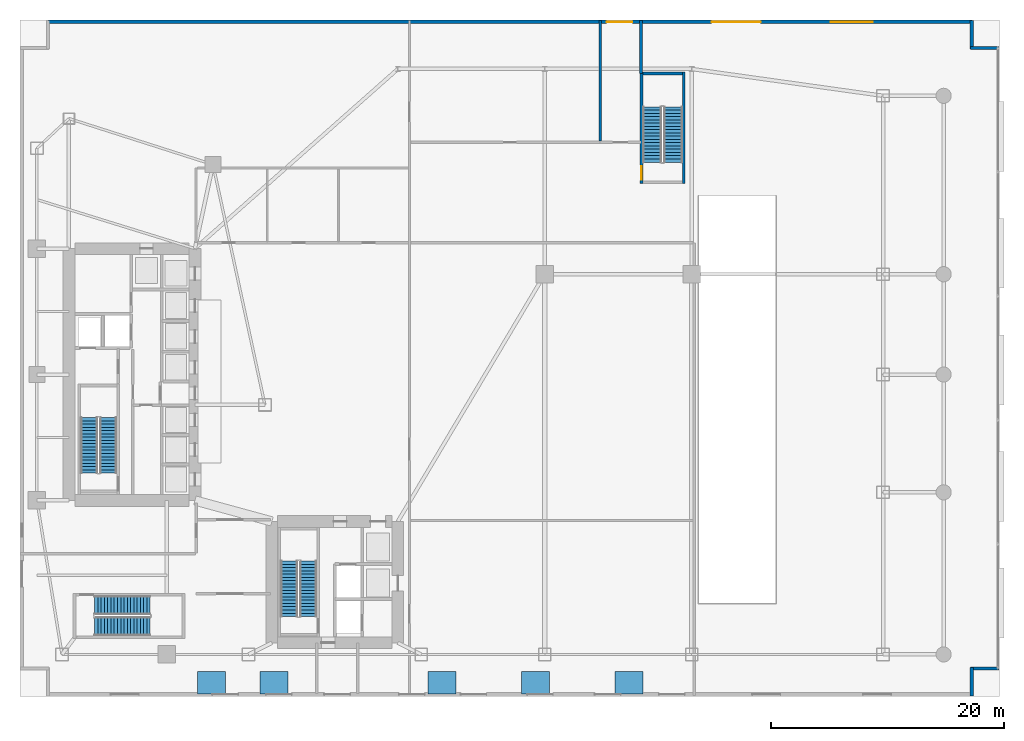
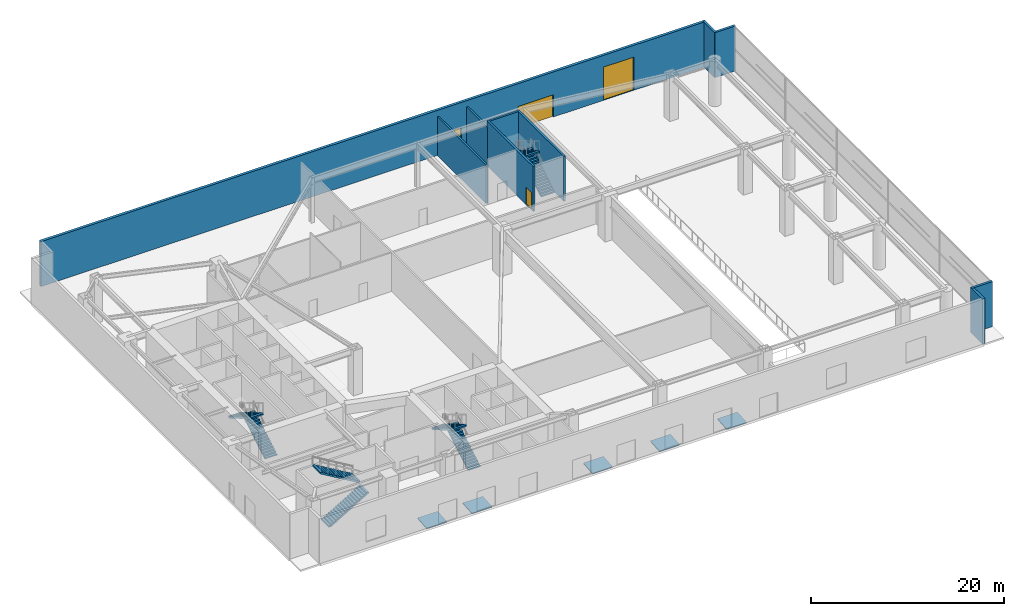
# One storey, part 15 of 20: 10 walls, 8 stair flights, 5 ramp flights, 4 doors, 4 openings, 9 elements without a shape of their own.
"""IFC4 building model written with IfcOpenShell, lengths in metres."""

from ifc_helpers import new_model, si_unit, direction, frame, frame_2d, origin, place, context, subcontext, project, spatial, polyline, rectangle, outline, extrude, material, layer, layer_set, type_object, element, fill, aggregate, save


model = new_model("IFC4")

# Units and contexts
model_context = context("Model", 3, precision=1e-05, world=origin(), true_north=direction((0.0, 1.0)))
body_context = subcontext(model_context, "Body", "Model", "MODEL_VIEW")
ifc_project = project(units=[si_unit("LENGTHUNIT", "METRE"), si_unit("AREAUNIT", "SQUARE_METRE"), si_unit("VOLUMEUNIT", "CUBIC_METRE"), si_unit("PLANEANGLEUNIT", "RADIAN"), si_unit("MASSUNIT", "GRAM", prefix="KILO")], contexts=[model_context])

# Site, building, storey
site_placement = place(None, origin())
site = spatial("IfcSite", under=ifc_project, at=site_placement, CompositionType="ELEMENT")
building_placement = place(site_placement, origin())
building = spatial("IfcBuilding", under=site, at=building_placement, Name="Calvorn Quay Hotel", CompositionType="ELEMENT")
storey_placement = place(building_placement, origin())
storey = spatial("IfcBuildingStorey", under=building, at=storey_placement, Name="L00", CompositionType="ELEMENT", Elevation=0.0)

# Walls
ifc_material_1 = material(Name="Concrete C40", Category="concrete")
ifc_layer_1 = layer(ifc_material_1, 0.320068359375)
ifc_layer_set_1 = layer_set([ifc_layer_1], Name="WL-EXT-SPANDREL-320")
wall_type_1 = type_object("IfcWallType", Name="WL-EXT-SPANDREL-320", PredefinedType="SOLIDWALL", material=ifc_layer_set_1)
for number, where, z_axis, x_axis, name in (
    (1, (81.60009765625, 0.0400390625, 0.0), (0.0, 0.0, 1.0), (0.0, 1.0, 0.0), "Podium Notched Corner Wall L00-SE1"),
    (2, (81.5, 2.39990234375, 0.0), (0.0, 0.0, 1.0), (1.0, 0.0, 0.0), "Podium Notched Corner Wall L00-SE2"),
    (3, (83.9599609375, 55.60009765625, 0.0), (0.0, 0.0, 1.0), (-1.0, 0.0, 0.0), "Podium Notched Corner Wall L00-NE1"),
    (4, (81.60009765625, 55.5, 0.0), (0.0, 0.0, 1.0), (0.0, 1.0, 0.0), "Podium Notched Corner Wall L00-NE2"),
):
    element("IfcWall", number, at=place(storey_placement, frame(where, z_axis=z_axis, x_axis=x_axis)), inside=storey, type_object=wall_type_1, Name=name, PredefinedType="SOLIDWALL", context=body_context, shape_type="SweptSolid", body=[
        extrude(rectangle(XDim=2.4599609375, YDim=0.280029296875, at=frame_2d((1.22998046875, 0.0))), origin(), (0.0, 0.0, 1.0), 5.679931640625),
    ])

# Wall, openings, doors
wall_1_placement = place(storey_placement, frame((2.300048828125, 57.840087890625, 0.0), z_axis=(0.0, 0.0, 1.0), x_axis=(1.0, 0.0, 0.0)))
wall_1 = element("IfcWall", 5, at=wall_1_placement, inside=storey, type_object=wall_type_1, Name="L00 North Service and Ramp Portal Wall", PredefinedType="SOLIDWALL", context=body_context, shape_type="SweptSolid", body=[
    extrude(rectangle(XDim=79.39990234375, YDim=0.320068359375, at=frame_2d((39.699951171875, 0.0))), origin(), (0.0, 0.0, 1.0), 5.679931640625),
])
opening_1_placement = place(wall_1_placement, frame((48.0, 0.0, 0.0)))
opening_1 = element("IfcOpeningElement", 6, at=opening_1_placement, cuts=wall_1, Name="Opening EX-06", PredefinedType="OPENING", context=body_context, shape_type="SweptSolid", body=[
    extrude(rectangle(XDim=2.199951171875, YDim=2.5, at=frame_2d((1.10009765625, 1.25))), frame((0.0, 0.169921875, 0.0), z_axis=(0.0, -1.0, 0.0), x_axis=(1.0, 0.0, 0.0)), (0.0, 0.0, 1.0), 0.340087890625),
])
opening_2_placement = place(wall_1_placement, frame((57.0, 0.0, 0.0)))
opening_2 = element("IfcOpeningElement", 7, at=opening_2_placement, cuts=wall_1, Name="Opening VG-01", PredefinedType="OPENING", context=body_context, shape_type="SweptSolid", body=[
    extrude(rectangle(XDim=4.199951171875, YDim=2.800048828125, at=frame_2d((2.10009765625, 1.39990234375))), frame((0.0, 0.169921875, 0.0), z_axis=(0.0, -1.0, 0.0), x_axis=(1.0, 0.0, 0.0)), (0.0, 0.0, 1.0), 0.340087890625),
])
opening_3_placement = place(wall_1_placement, frame((67.199951171875, 0.0, 0.0)))
opening_3 = element("IfcOpeningElement", 8, at=opening_3_placement, cuts=wall_1, Name="Opening VLD-01", PredefinedType="OPENING", context=body_context, shape_type="SweptSolid", body=[
    extrude(rectangle(XDim=3.60009765625, YDim=4.199951171875, at=frame_2d((1.800048828125, 2.10009765625))), frame((0.0, 0.169921875, 0.0), z_axis=(0.0, -1.0, 0.0), x_axis=(1.0, 0.0, 0.0)), (0.0, 0.0, 1.0), 0.340087890625),
])
ifc_material_2 = material(Name="Insulated Steel Loading-Bay Roller Shutter", Category="steel")
door_type_1 = type_object("IfcDoorType", Name="DR-LOADING-3600", OperationType="NOTDEFINED", PredefinedType="GATE", material=ifc_material_2)
door_1_placement = place(opening_3_placement, origin())
door_1 = element("IfcDoor", 9, at=door_1_placement, inside=storey, type_object=door_type_1, Name="Hotel Loading Bay Roller Shutter VLD-01", OperationType="ROLLINGUP", OverallHeight=4.199951171875, OverallWidth=3.60009765625, PredefinedType="GATE", context=body_context, shape_type="SweptSolid", body=[
    extrude(rectangle(XDim=3.60009765625, YDim=4.199951171875, at=frame_2d((1.800048828125, 2.10009765625))), frame((0.0, 0.02490234375, 0.0), z_axis=(0.0, -1.0, 0.0), x_axis=(1.0, 0.0, 0.0)), (0.0, 0.0, 1.0), 0.050048828125),
])
fill(opening_3, door_1)
ifc_material_3 = material(Name="Thermally Broken Bronze-Anodised Aluminium Glazed Door", Category="aluminium")
door_type_2 = type_object("IfcDoorType", Name="DR-MAIN-EXIT-2200", OperationType="NOTDEFINED", PredefinedType="DOOR", material=ifc_material_3)
door_2_placement = place(opening_1_placement, origin())
door_2 = element("IfcDoor", 10, at=door_2_placement, inside=storey, type_object=door_type_2, Name="North-East Stair Final Exit Door EX-06", OperationType="DOUBLE_DOOR_SINGLE_SWING", OverallHeight=2.5, OverallWidth=2.199951171875, PredefinedType="DOOR", context=body_context, shape_type="SweptSolid", body=[
    extrude(rectangle(XDim=2.199951171875, YDim=2.5, at=frame_2d((1.10009765625, 1.25))), frame((0.0, 0.02490234375, 0.0), z_axis=(0.0, -1.0, 0.0), x_axis=(1.0, 0.0, 0.0)), (0.0, 0.0, 1.0), 0.050048828125),
])
fill(opening_1, door_2)
ifc_material_4 = material(Name="Perforated Anodised Aluminium Roller Shutter Gate", Category="aluminium")
door_type_3 = type_object("IfcDoorType", Name="DR-VEH-GATE-4200", OperationType="NOTDEFINED", PredefinedType="GATE", material=ifc_material_4)
door_3_placement = place(opening_2_placement, origin())
door_3 = element("IfcDoor", 11, at=door_3_placement, inside=storey, type_object=door_type_3, Name="Basement Car Park Roller Shutter Gate VG-01", OperationType="ROLLINGUP", OverallHeight=2.800048828125, OverallWidth=4.199951171875, PredefinedType="GATE", context=body_context, shape_type="SweptSolid", body=[
    extrude(rectangle(XDim=4.199951171875, YDim=2.800048828125, at=frame_2d((2.10009765625, 1.39990234375))), frame((0.0, 0.02490234375, 0.0), z_axis=(0.0, -1.0, 0.0), x_axis=(1.0, 0.0, 0.0)), (0.0, 0.0, 1.0), 0.050048828125),
])
fill(opening_2, door_3)

# Walls
ifc_material_5 = material(Name="Autoclaved Aerated Masonry Block", Category="masonry")
ifc_layer_2 = layer(ifc_material_5, 0.219970703125)
ifc_layer_set_2 = layer_set([ifc_layer_2], Name="WL-LOBBY-FIRE-220")
wall_type_2 = type_object("IfcWallType", Name="WL-LOBBY-FIRE-220", PredefinedType="SOLIDWALL", material=ifc_layer_set_2)
wall_2_placement = place(storey_placement, frame((49.75, 47.6201171875, 0.0), z_axis=(0.0, 0.0, 1.0), x_axis=(0.0, 1.0, 0.0)))
element("IfcWall", 12, at=wall_2_placement, inside=storey, type_object=wall_type_2, Name="Partition Wall L00-WL-L00-NE-EXW", PredefinedType="SOLIDWALL", context=body_context, shape_type="SweptSolid", body=[
    extrude(rectangle(XDim=10.31982421875, YDim=0.219970703125, at=frame_2d((5.159912109375, 0.0))), origin(), (0.0, 0.0, 1.0), 4.8798828125),
])
wall_3_placement = place(storey_placement, frame((53.25, 53.39990234375, 0.0), z_axis=(0.0, 0.0, 1.0), x_axis=(0.0, 1.0, 0.0)))
element("IfcWall", 13, at=wall_3_placement, inside=storey, type_object=wall_type_2, Name="Partition Wall L00-WL-L00-NE-EXE", PredefinedType="SOLIDWALL", context=body_context, shape_type="SweptSolid", body=[
    extrude(rectangle(XDim=4.5400390625, YDim=0.219970703125, at=frame_2d((2.27001953125, 0.0))), origin(), (0.0, 0.0, 1.0), 4.8798828125),
])

# Wall, opening, door
ifc_material_6 = material(Name="Concrete C40", Category="concrete")
ifc_layer_3 = layer(ifc_material_6, 0.239990234375)
ifc_layer_set_3 = layer_set([ifc_layer_3], Name="WL-SHAFT-240")
wall_type_3 = type_object("IfcWallType", Name="WL-SHAFT-240", PredefinedType="SOLIDWALL", material=ifc_layer_set_3)
wall_4_placement = place(storey_placement, frame((53.280029296875, 43.9599609375, 0.0), z_axis=(0.0, 0.0, 1.0), x_axis=(0.0, 1.0, 0.0)))
wall_4 = element("IfcWall", 14, at=wall_4_placement, inside=storey, type_object=wall_type_3, Name="Stair STP1 Shaft Wall W (L00)", PredefinedType="SOLIDWALL", context=body_context, shape_type="SweptSolid", body=[
    extrude(rectangle(XDim=9.580078125, YDim=0.239990234375, at=frame_2d((4.7900390625, 0.0))), origin(), (0.0, 0.0, 1.0), 5.679931640625),
])
opening_4_placement = place(wall_4_placement, frame((0.35009765625, 0.0, 0.0)))
opening_4 = element("IfcOpeningElement", 15, at=opening_4_placement, cuts=wall_4, Name="Opening D-L00-STP1", PredefinedType="OPENING", context=body_context, shape_type="SweptSolid", body=[
    extrude(rectangle(XDim=1.14990234375, YDim=2.199951171875, at=frame_2d((0.574951171875, 1.10009765625))), frame((0.0, 0.1298828125, 0.0), z_axis=(0.0, -1.0, 0.0), x_axis=(1.0, 0.0, 0.0)), (0.0, 0.0, 1.0), 0.260009765625),
])
ifc_material_7 = material(Name="Galvanised Steel Class A Fire Door", Category="steel")
door_type_4 = type_object("IfcDoorType", Name="DR-STAIR-SMOKE-1150", OperationType="NOTDEFINED", PredefinedType="DOOR", material=ifc_material_7)
door_4_placement = place(opening_4_placement, origin())
door_4 = element("IfcDoor", 16, at=door_4_placement, inside=storey, type_object=door_type_4, Name="Podium Stair ST-P1 Fire Door (L00)", OperationType="SINGLE_SWING_LEFT", OverallHeight=2.199951171875, OverallWidth=1.14990234375, PredefinedType="DOOR", context=body_context, shape_type="SweptSolid", body=[
    extrude(rectangle(XDim=1.14990234375, YDim=2.199951171875, at=frame_2d((0.574951171875, 1.10009765625))), frame((0.0, 0.02490234375, 0.0), z_axis=(0.0, -1.0, 0.0), x_axis=(1.0, 0.0, 0.0)), (0.0, 0.0, 1.0), 0.050048828125),
])
fill(opening_4, door_4)

# Walls
wall_5_placement = place(storey_placement, frame((56.919921875, 43.9599609375, 0.0), z_axis=(0.0, 0.0, 1.0), x_axis=(0.0, 1.0, 0.0)))
element("IfcWall", 17, at=wall_5_placement, inside=storey, type_object=wall_type_3, Name="Stair STP1 Shaft Wall E (L00)", PredefinedType="SOLIDWALL", context=body_context, shape_type="SweptSolid", body=[
    extrude(rectangle(XDim=9.580078125, YDim=0.239990234375, at=frame_2d((4.7900390625, 0.0))), origin(), (0.0, 0.0, 1.0), 5.679931640625),
])
wall_6_placement = place(storey_placement, frame((53.39990234375, 53.419921875, 0.0), z_axis=(0.0, 0.0, 1.0), x_axis=(1.0, 0.0, 0.0)))
element("IfcWall", 18, at=wall_6_placement, inside=storey, type_object=wall_type_3, Name="Stair STP1 Shaft Wall N (L00)", PredefinedType="SOLIDWALL", context=body_context, shape_type="SweptSolid", body=[
    extrude(rectangle(XDim=3.400146484375, YDim=0.239990234375, at=frame_2d((1.7001953125, 0.0))), origin(), (0.0, 0.0, 1.0), 5.679931640625),
])

# Stair, stair flights
ifc_material_8 = material(Name="Concrete C40", Category="concrete")
stair_type_1 = type_object("IfcStairType", Name="STR-CORE-DOGLEG", PredefinedType="HALF_TURN_STAIR", material=ifc_material_8)
stair_1_placement = place(storey_placement, origin())
stair_1 = element("IfcStair", 19, at=stair_1_placement, inside=storey, type_object=stair_type_1, Name="L00 ST-W", PredefinedType="HALF_TURN_STAIR")
ifc_material_9 = material(Name="Concrete C40", Category="concrete")
stair_flight_type_1 = type_object("IfcStairFlightType", Name="FLT-CORE-1550", PredefinedType="STRAIGHT", material=ifc_material_9)
stair_flight_1_placement = place(storey_placement, frame((7.574951171875, 19.14990234375, 0.0), z_axis=(0.0, 0.0, 1.0), x_axis=(0.0, 1.0, 0.0)))
stair_flight_1 = element("IfcStairFlight", 20, at=stair_flight_1_placement, type_object=stair_flight_type_1, Name="ST-W flight 1", NumberOfRisers=18, NumberOfTreads=17, PredefinedType="STRAIGHT", RiserHeight=0.166666667, TreadLength=0.28, context=body_context, shape_type="SweptSolid", body=[
    extrude(outline(polyline([(0.0, 0.0), (0.0, 0.166748046875), (0.280029296875, 0.166748046875), (0.280029296875, 0.333251953125), (0.56005859375, 0.333251953125), (0.56005859375, 0.5), (0.840087890625, 0.5), (0.840087890625, 0.666748046875), (1.1201171875, 0.666748046875), (1.1201171875, 0.833251953125), (1.39990234375, 0.833251953125), (1.39990234375, 1.0), (1.679931640625, 1.0), (1.679931640625, 1.166748046875), (1.9599609375, 1.166748046875), (1.9599609375, 1.333251953125), (2.239990234375, 1.333251953125), (2.239990234375, 1.5), (2.52001953125, 1.5), (2.52001953125, 1.666748046875), (2.800048828125, 1.666748046875), (2.800048828125, 1.833251953125), (3.080078125, 1.833251953125), (3.080078125, 2.0), (3.360107421875, 2.0), (3.360107421875, 2.166748046875), (3.639892578125, 2.166748046875), (3.639892578125, 2.333251953125), (3.919921875, 2.333251953125), (3.919921875, 2.5), (4.199951171875, 2.5), (4.199951171875, 2.666748046875), (4.47998046875, 2.666748046875), (4.47998046875, 2.833251953125), (4.760009765625, 2.833251953125), (4.760009765625, 3.0), (4.760009765625, 2.658935546875), (0.29296875, 0.0), (0.0, 0.0)])), frame((0.0, 0.72509765625, 0.0), z_axis=(0.0, -1.0, 0.0), x_axis=(1.0, 0.0, 0.0)), (0.0, 0.0, 1.0), 1.449951171875),
])
stair_flight_2_placement = place(storey_placement, frame((5.925048828125, 23.909912109375, 3.0), z_axis=(0.0, 0.0, 1.0), x_axis=(0.0, -1.0, 0.0)))
stair_flight_2 = element("IfcStairFlight", 21, at=stair_flight_2_placement, type_object=stair_flight_type_1, Name="ST-W flight 2", NumberOfRisers=18, NumberOfTreads=17, PredefinedType="STRAIGHT", RiserHeight=0.166666667, TreadLength=0.28, context=body_context, shape_type="SweptSolid", body=[
    extrude(outline(polyline([(0.0, 0.0), (0.0, 0.166748046875), (0.280029296875, 0.166748046875), (0.280029296875, 0.333251953125), (0.56005859375, 0.333251953125), (0.56005859375, 0.5), (0.840087890625, 0.5), (0.840087890625, 0.666748046875), (1.1201171875, 0.666748046875), (1.1201171875, 0.833251953125), (1.39990234375, 0.833251953125), (1.39990234375, 1.0), (1.679931640625, 1.0), (1.679931640625, 1.166748046875), (1.9599609375, 1.166748046875), (1.9599609375, 1.333251953125), (2.239990234375, 1.333251953125), (2.239990234375, 1.5), (2.52001953125, 1.5), (2.52001953125, 1.666748046875), (2.800048828125, 1.666748046875), (2.800048828125, 1.833251953125), (3.080078125, 1.833251953125), (3.080078125, 2.0), (3.360107421875, 2.0), (3.360107421875, 2.166748046875), (3.639892578125, 2.166748046875), (3.639892578125, 2.333251953125), (3.919921875, 2.333251953125), (3.919921875, 2.5), (4.199951171875, 2.5), (4.199951171875, 2.666748046875), (4.47998046875, 2.666748046875), (4.47998046875, 2.833251953125), (4.760009765625, 2.833251953125), (4.760009765625, 3.0), (4.760009765625, 2.658935546875), (0.29296875, 0.0), (0.0, 0.0)])), frame((0.0, 0.72509765625, 0.0), z_axis=(0.0, -1.0, 0.0), x_axis=(1.0, 0.0, 0.0)), (0.0, 0.0, 1.0), 1.449951171875),
])
aggregate(stair_1, [stair_flight_1, stair_flight_2])

stair_2_placement = place(storey_placement, origin())
stair_2 = element("IfcStair", 22, at=stair_2_placement, inside=storey, type_object=stair_type_1, Name="L00 ST-E", PredefinedType="HALF_TURN_STAIR")
stair_flight_3_placement = place(storey_placement, frame((24.72509765625, 6.85009765625, 0.0), z_axis=(0.0, 0.0, 1.0), x_axis=(0.0, 1.0, 0.0)))
stair_flight_3 = element("IfcStairFlight", 23, at=stair_flight_3_placement, type_object=stair_flight_type_1, Name="ST-E flight 1", NumberOfRisers=18, NumberOfTreads=17, PredefinedType="STRAIGHT", RiserHeight=0.166666667, TreadLength=0.28, context=body_context, shape_type="SweptSolid", body=[
    extrude(outline(polyline([(0.0, 0.0), (0.0, 0.166748046875), (0.280029296875, 0.166748046875), (0.280029296875, 0.333251953125), (0.56005859375, 0.333251953125), (0.56005859375, 0.5), (0.840087890625, 0.5), (0.840087890625, 0.666748046875), (1.1201171875, 0.666748046875), (1.1201171875, 0.833251953125), (1.39990234375, 0.833251953125), (1.39990234375, 1.0), (1.679931640625, 1.0), (1.679931640625, 1.166748046875), (1.9599609375, 1.166748046875), (1.9599609375, 1.333251953125), (2.239990234375, 1.333251953125), (2.239990234375, 1.5), (2.52001953125, 1.5), (2.52001953125, 1.666748046875), (2.800048828125, 1.666748046875), (2.800048828125, 1.833251953125), (3.080078125, 1.833251953125), (3.080078125, 2.0), (3.360107421875, 2.0), (3.360107421875, 2.166748046875), (3.639892578125, 2.166748046875), (3.639892578125, 2.333251953125), (3.919921875, 2.333251953125), (3.919921875, 2.5), (4.199951171875, 2.5), (4.199951171875, 2.666748046875), (4.47998046875, 2.666748046875), (4.47998046875, 2.833251953125), (4.760009765625, 2.833251953125), (4.760009765625, 3.0), (4.760009765625, 2.658935546875), (0.29296875, 0.0), (0.0, 0.0)])), frame((0.0, 0.72509765625, 0.0), z_axis=(0.0, -1.0, 0.0), x_axis=(1.0, 0.0, 0.0)), (0.0, 0.0, 1.0), 1.449951171875),
])
stair_flight_4_placement = place(storey_placement, frame((23.074951171875, 11.610107421875, 3.0), z_axis=(0.0, 0.0, 1.0), x_axis=(0.0, -1.0, 0.0)))
stair_flight_4 = element("IfcStairFlight", 24, at=stair_flight_4_placement, type_object=stair_flight_type_1, Name="ST-E flight 2", NumberOfRisers=18, NumberOfTreads=17, PredefinedType="STRAIGHT", RiserHeight=0.166666667, TreadLength=0.28, context=body_context, shape_type="SweptSolid", body=[
    extrude(outline(polyline([(0.0, 0.0), (0.0, 0.166748046875), (0.280029296875, 0.166748046875), (0.280029296875, 0.333251953125), (0.56005859375, 0.333251953125), (0.56005859375, 0.5), (0.840087890625, 0.5), (0.840087890625, 0.666748046875), (1.1201171875, 0.666748046875), (1.1201171875, 0.833251953125), (1.39990234375, 0.833251953125), (1.39990234375, 1.0), (1.679931640625, 1.0), (1.679931640625, 1.166748046875), (1.9599609375, 1.166748046875), (1.9599609375, 1.333251953125), (2.239990234375, 1.333251953125), (2.239990234375, 1.5), (2.52001953125, 1.5), (2.52001953125, 1.666748046875), (2.800048828125, 1.666748046875), (2.800048828125, 1.833251953125), (3.080078125, 1.833251953125), (3.080078125, 2.0), (3.360107421875, 2.0), (3.360107421875, 2.166748046875), (3.639892578125, 2.166748046875), (3.639892578125, 2.333251953125), (3.919921875, 2.333251953125), (3.919921875, 2.5), (4.199951171875, 2.5), (4.199951171875, 2.666748046875), (4.47998046875, 2.666748046875), (4.47998046875, 2.833251953125), (4.760009765625, 2.833251953125), (4.760009765625, 3.0), (4.760009765625, 2.658935546875), (0.29296875, 0.0), (0.0, 0.0)])), frame((0.0, 0.72509765625, 0.0), z_axis=(0.0, -1.0, 0.0), x_axis=(1.0, 0.0, 0.0)), (0.0, 0.0, 1.0), 1.449951171875),
])
aggregate(stair_2, [stair_flight_3, stair_flight_4])

ifc_material_10 = material(Name="Concrete C40", Category="concrete")
stair_type_2 = type_object("IfcStairType", Name="STR-POD-DOGLEG", PredefinedType="TWO_QUARTER_TURN_STAIR", material=ifc_material_10)
stair_3_placement = place(storey_placement, origin())
stair_3 = element("IfcStair", 25, at=stair_3_placement, inside=storey, type_object=stair_type_2, Name="L00 ST-P1", PredefinedType="TWO_QUARTER_TURN_STAIR")
ifc_material_11 = material(Name="Concrete C40", Category="concrete")
stair_flight_type_2 = type_object("IfcStairFlightType", Name="FLT-POD-1750", PredefinedType="STRAIGHT", material=ifc_material_11)
stair_flight_5_placement = place(storey_placement, frame((56.0, 45.800048828125, 0.0), z_axis=(0.0, 0.0, 1.0), x_axis=(0.0, 1.0, 0.0)))
stair_flight_5 = element("IfcStairFlight", 26, at=stair_flight_5_placement, type_object=stair_flight_type_2, Name="ST-P1 flight 1", NumberOfRisers=18, NumberOfTreads=17, PredefinedType="STRAIGHT", RiserHeight=0.166666667, TreadLength=0.28, context=body_context, shape_type="SweptSolid", body=[
    extrude(outline(polyline([(0.0, 0.0), (0.0, 0.166748046875), (0.280029296875, 0.166748046875), (0.280029296875, 0.333251953125), (0.56005859375, 0.333251953125), (0.56005859375, 0.5), (0.840087890625, 0.5), (0.840087890625, 0.666748046875), (1.1201171875, 0.666748046875), (1.1201171875, 0.833251953125), (1.39990234375, 0.833251953125), (1.39990234375, 1.0), (1.679931640625, 1.0), (1.679931640625, 1.166748046875), (1.9599609375, 1.166748046875), (1.9599609375, 1.333251953125), (2.239990234375, 1.333251953125), (2.239990234375, 1.5), (2.52001953125, 1.5), (2.52001953125, 1.666748046875), (2.800048828125, 1.666748046875), (2.800048828125, 1.833251953125), (3.080078125, 1.833251953125), (3.080078125, 2.0), (3.360107421875, 2.0), (3.360107421875, 2.166748046875), (3.639892578125, 2.166748046875), (3.639892578125, 2.333251953125), (3.919921875, 2.333251953125), (3.919921875, 2.5), (4.199951171875, 2.5), (4.199951171875, 2.666748046875), (4.47998046875, 2.666748046875), (4.47998046875, 2.833251953125), (4.760009765625, 2.833251953125), (4.760009765625, 3.0), (4.760009765625, 2.658935546875), (0.29296875, 0.0), (0.0, 0.0)])), frame((0.0, 0.800048828125, 0.0), z_axis=(0.0, -1.0, 0.0), x_axis=(1.0, 0.0, 0.0)), (0.0, 0.0, 1.0), 1.60009765625),
])
stair_flight_6_placement = place(storey_placement, frame((54.199951171875, 50.56005859375, 3.0), z_axis=(0.0, 0.0, 1.0), x_axis=(0.0, -1.0, 0.0)))
stair_flight_6 = element("IfcStairFlight", 27, at=stair_flight_6_placement, type_object=stair_flight_type_2, Name="ST-P1 flight 2", NumberOfRisers=18, NumberOfTreads=17, PredefinedType="STRAIGHT", RiserHeight=0.166666667, TreadLength=0.28, context=body_context, shape_type="SweptSolid", body=[
    extrude(outline(polyline([(0.0, 0.0), (0.0, 0.166748046875), (0.280029296875, 0.166748046875), (0.280029296875, 0.333251953125), (0.56005859375, 0.333251953125), (0.56005859375, 0.5), (0.840087890625, 0.5), (0.840087890625, 0.666748046875), (1.1201171875, 0.666748046875), (1.1201171875, 0.833251953125), (1.39990234375, 0.833251953125), (1.39990234375, 1.0), (1.679931640625, 1.0), (1.679931640625, 1.166748046875), (1.9599609375, 1.166748046875), (1.9599609375, 1.333251953125), (2.239990234375, 1.333251953125), (2.239990234375, 1.5), (2.52001953125, 1.5), (2.52001953125, 1.666748046875), (2.800048828125, 1.666748046875), (2.800048828125, 1.833251953125), (3.080078125, 1.833251953125), (3.080078125, 2.0), (3.360107421875, 2.0), (3.360107421875, 2.166748046875), (3.639892578125, 2.166748046875), (3.639892578125, 2.333251953125), (3.919921875, 2.333251953125), (3.919921875, 2.5), (4.199951171875, 2.5), (4.199951171875, 2.666748046875), (4.47998046875, 2.666748046875), (4.47998046875, 2.833251953125), (4.760009765625, 2.833251953125), (4.760009765625, 3.0), (4.760009765625, 2.658935546875), (0.29296875, 0.0), (0.0, 0.0)])), frame((0.0, 0.800048828125, 0.0), z_axis=(0.0, -1.0, 0.0), x_axis=(1.0, 0.0, 0.0)), (0.0, 0.0, 1.0), 1.60009765625),
])
aggregate(stair_3, [stair_flight_5, stair_flight_6])

stair_4_placement = place(storey_placement, origin())
stair_4 = element("IfcStair", 28, at=stair_4_placement, inside=storey, type_object=stair_type_2, Name="L00 ST-P2", PredefinedType="TWO_QUARTER_TURN_STAIR")
stair_flight_7_placement = place(storey_placement, frame((6.39990234375, 6.0, 0.0), z_axis=(0.0, 0.0, 1.0), x_axis=(1.0, 0.0, 0.0)))
stair_flight_7 = element("IfcStairFlight", 29, at=stair_flight_7_placement, type_object=stair_flight_type_2, Name="ST-P2 flight 1", NumberOfRisers=18, NumberOfTreads=17, PredefinedType="STRAIGHT", RiserHeight=0.166666667, TreadLength=0.28, context=body_context, shape_type="SweptSolid", body=[
    extrude(outline(polyline([(0.0, 0.0), (0.0, 0.166748046875), (0.280029296875, 0.166748046875), (0.280029296875, 0.333251953125), (0.56005859375, 0.333251953125), (0.56005859375, 0.5), (0.840087890625, 0.5), (0.840087890625, 0.666748046875), (1.1201171875, 0.666748046875), (1.1201171875, 0.833251953125), (1.39990234375, 0.833251953125), (1.39990234375, 1.0), (1.679931640625, 1.0), (1.679931640625, 1.166748046875), (1.9599609375, 1.166748046875), (1.9599609375, 1.333251953125), (2.239990234375, 1.333251953125), (2.239990234375, 1.5), (2.52001953125, 1.5), (2.52001953125, 1.666748046875), (2.800048828125, 1.666748046875), (2.800048828125, 1.833251953125), (3.080078125, 1.833251953125), (3.080078125, 2.0), (3.360107421875, 2.0), (3.360107421875, 2.166748046875), (3.639892578125, 2.166748046875), (3.639892578125, 2.333251953125), (3.919921875, 2.333251953125), (3.919921875, 2.5), (4.199951171875, 2.5), (4.199951171875, 2.666748046875), (4.47998046875, 2.666748046875), (4.47998046875, 2.833251953125), (4.760009765625, 2.833251953125), (4.760009765625, 3.0), (4.760009765625, 2.658935546875), (0.29296875, 0.0), (0.0, 0.0)])), frame((0.0, 0.800048828125, 0.0), z_axis=(0.0, -1.0, 0.0), x_axis=(1.0, 0.0, 0.0)), (0.0, 0.0, 1.0), 1.60009765625),
])
stair_flight_8_placement = place(storey_placement, frame((11.159912109375, 7.800048828125, 3.0), z_axis=(0.0, 0.0, 1.0), x_axis=(-1.0, 0.0, 0.0)))
stair_flight_8 = element("IfcStairFlight", 30, at=stair_flight_8_placement, type_object=stair_flight_type_2, Name="ST-P2 flight 2", NumberOfRisers=18, NumberOfTreads=17, PredefinedType="STRAIGHT", RiserHeight=0.166666667, TreadLength=0.28, context=body_context, shape_type="SweptSolid", body=[
    extrude(outline(polyline([(0.0, 0.0), (0.0, 0.166748046875), (0.280029296875, 0.166748046875), (0.280029296875, 0.333251953125), (0.56005859375, 0.333251953125), (0.56005859375, 0.5), (0.840087890625, 0.5), (0.840087890625, 0.666748046875), (1.1201171875, 0.666748046875), (1.1201171875, 0.833251953125), (1.39990234375, 0.833251953125), (1.39990234375, 1.0), (1.679931640625, 1.0), (1.679931640625, 1.166748046875), (1.9599609375, 1.166748046875), (1.9599609375, 1.333251953125), (2.239990234375, 1.333251953125), (2.239990234375, 1.5), (2.52001953125, 1.5), (2.52001953125, 1.666748046875), (2.800048828125, 1.666748046875), (2.800048828125, 1.833251953125), (3.080078125, 1.833251953125), (3.080078125, 2.0), (3.360107421875, 2.0), (3.360107421875, 2.166748046875), (3.639892578125, 2.166748046875), (3.639892578125, 2.333251953125), (3.919921875, 2.333251953125), (3.919921875, 2.5), (4.199951171875, 2.5), (4.199951171875, 2.666748046875), (4.47998046875, 2.666748046875), (4.47998046875, 2.833251953125), (4.760009765625, 2.833251953125), (4.760009765625, 3.0), (4.760009765625, 2.658935546875), (0.29296875, 0.0), (0.0, 0.0)])), frame((0.0, 0.800048828125, 0.0), z_axis=(0.0, -1.0, 0.0), x_axis=(1.0, 0.0, 0.0)), (0.0, 0.0, 1.0), 1.60009765625),
])
aggregate(stair_4, [stair_flight_7, stair_flight_8])

# Ramp, ramp flight
ifc_material_12 = material(Name="Concrete C40", Category="concrete")
ramp_type = type_object("IfcRampType", Name="RMP-ACC-ENTRY", PredefinedType="STRAIGHT_RUN_RAMP", material=ifc_material_12)
ramp_1_placement = place(storey_placement, origin())
ramp_1 = element("IfcRamp", 31, at=ramp_1_placement, inside=storey, type_object=ramp_type, Name="Waterfront Step-Free Entrance Ramp 1", PredefinedType="STRAIGHT_RUN_RAMP")
ifc_material_13 = material(Name="Concrete C40", Category="concrete")
ifc_layer_4 = layer(ifc_material_13, 0.1201171875)
ifc_layer_set_4 = layer_set([ifc_layer_4], Name="RMP-FLT-ACC")
ramp_flight_type = type_object("IfcRampFlightType", Name="RMP-FLT-ACC", PredefinedType="STRAIGHT", material=ifc_layer_set_4)
ramp_flight_1_placement = place(storey_placement, frame((15.199951171875, 0.199951171875, -0.159912109375), z_axis=(0.0, -0.082993049279, 0.996550126071), x_axis=(1.0, 0.0, 0.0)))
ramp_flight_1 = element("IfcRampFlight", 32, at=ramp_flight_1_placement, type_object=ramp_flight_type, Name="Accessible Entrance Ramp Flight 1", PredefinedType="STRAIGHT", context=body_context, shape_type="SweptSolid", body=[
    extrude(outline(polyline([(0.0, 0.0), (2.400146484375, 0.0), (2.400146484375, 1.9268132785212866), (0.0, 1.9268132785212866), (0.0, 0.0)])), origin(), (0.0, 0.0, -1.0), 0.1201171875),
])
aggregate(ramp_1, [ramp_flight_1])

ramp_2_placement = place(storey_placement, origin())
ramp_2 = element("IfcRamp", 33, at=ramp_2_placement, inside=storey, type_object=ramp_type, Name="Waterfront Step-Free Entrance Ramp 2", PredefinedType="STRAIGHT_RUN_RAMP")
ramp_flight_2_placement = place(storey_placement, frame((20.60009765625, 0.199951171875, -0.159912109375), z_axis=(0.0, -0.082993049279, 0.996550126071), x_axis=(1.0, 0.0, 0.0)))
ramp_flight_2 = element("IfcRampFlight", 34, at=ramp_flight_2_placement, type_object=ramp_flight_type, Name="Accessible Entrance Ramp Flight 2", PredefinedType="STRAIGHT", context=body_context, shape_type="SweptSolid", body=[
    extrude(outline(polyline([(0.0, 0.0), (2.39990234375, 0.0), (2.39990234375, 1.9268132785212866), (0.0, 1.9268132785212866), (0.0, 0.0)])), origin(), (0.0, 0.0, -1.0), 0.1201171875),
])
aggregate(ramp_2, [ramp_flight_2])

ramp_3_placement = place(storey_placement, origin())
ramp_3 = element("IfcRamp", 35, at=ramp_3_placement, inside=storey, type_object=ramp_type, Name="Waterfront Step-Free Entrance Ramp 3", PredefinedType="STRAIGHT_RUN_RAMP")
ramp_flight_3_placement = place(storey_placement, frame((35.0, 0.199951171875, -0.159912109375), z_axis=(0.0, -0.082993049279, 0.996550126071), x_axis=(1.0, 0.0, 0.0)))
ramp_flight_3 = element("IfcRampFlight", 36, at=ramp_flight_3_placement, type_object=ramp_flight_type, Name="Accessible Entrance Ramp Flight 3", PredefinedType="STRAIGHT", context=body_context, shape_type="SweptSolid", body=[
    extrude(outline(polyline([(0.0, 0.0), (2.39990234375, 0.0), (2.39990234375, 1.9268132785212866), (0.0, 1.9268132785212866), (0.0, 0.0)])), origin(), (0.0, 0.0, -1.0), 0.1201171875),
])
aggregate(ramp_3, [ramp_flight_3])

ramp_4_placement = place(storey_placement, origin())
ramp_4 = element("IfcRamp", 37, at=ramp_4_placement, inside=storey, type_object=ramp_type, Name="Waterfront Step-Free Entrance Ramp 4", PredefinedType="STRAIGHT_RUN_RAMP")
ramp_flight_4_placement = place(storey_placement, frame((43.0, 0.199951171875, -0.159912109375), z_axis=(0.0, -0.082993049279, 0.996550126071), x_axis=(1.0, 0.0, 0.0)))
ramp_flight_4 = element("IfcRampFlight", 38, at=ramp_flight_4_placement, type_object=ramp_flight_type, Name="Accessible Entrance Ramp Flight 4", PredefinedType="STRAIGHT", context=body_context, shape_type="SweptSolid", body=[
    extrude(outline(polyline([(0.0, 0.0), (2.39990234375, 0.0), (2.39990234375, 1.9268132785212866), (0.0, 1.9268132785212866), (0.0, 0.0)])), origin(), (0.0, 0.0, -1.0), 0.1201171875),
])
aggregate(ramp_4, [ramp_flight_4])

ramp_5_placement = place(storey_placement, origin())
ramp_5 = element("IfcRamp", 39, at=ramp_5_placement, inside=storey, type_object=ramp_type, Name="Waterfront Step-Free Entrance Ramp 5", PredefinedType="STRAIGHT_RUN_RAMP")
ramp_flight_5_placement = place(storey_placement, frame((51.0, 0.199951171875, -0.159912109375), z_axis=(0.0, -0.082993049279, 0.996550126071), x_axis=(1.0, 0.0, 0.0)))
ramp_flight_5 = element("IfcRampFlight", 40, at=ramp_flight_5_placement, type_object=ramp_flight_type, Name="Accessible Entrance Ramp Flight 5", PredefinedType="STRAIGHT", context=body_context, shape_type="SweptSolid", body=[
    extrude(outline(polyline([(0.0, 0.0), (2.39990234375, 0.0), (2.39990234375, 1.9268132785212866), (0.0, 1.9268132785212866), (0.0, 0.0)])), origin(), (0.0, 0.0, -1.0), 0.1201171875),
])
aggregate(ramp_5, [ramp_flight_5])

save(model, "model.ifc")
